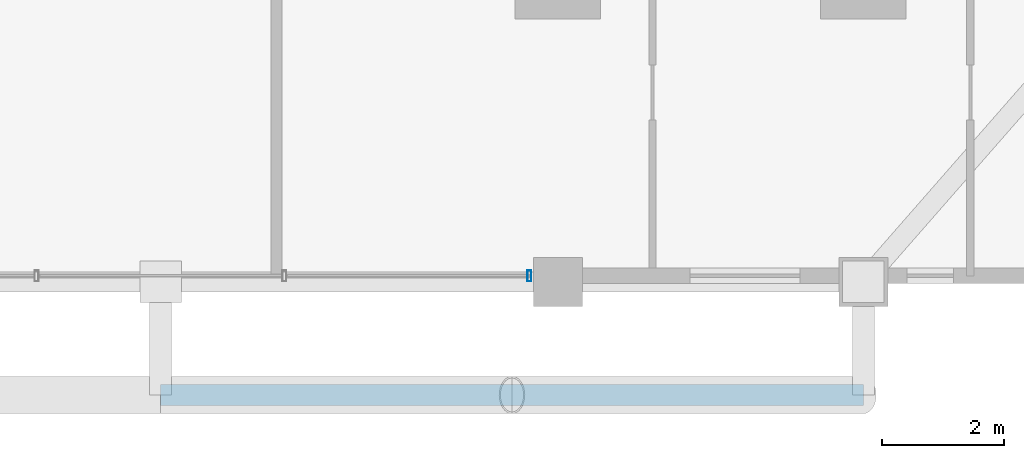
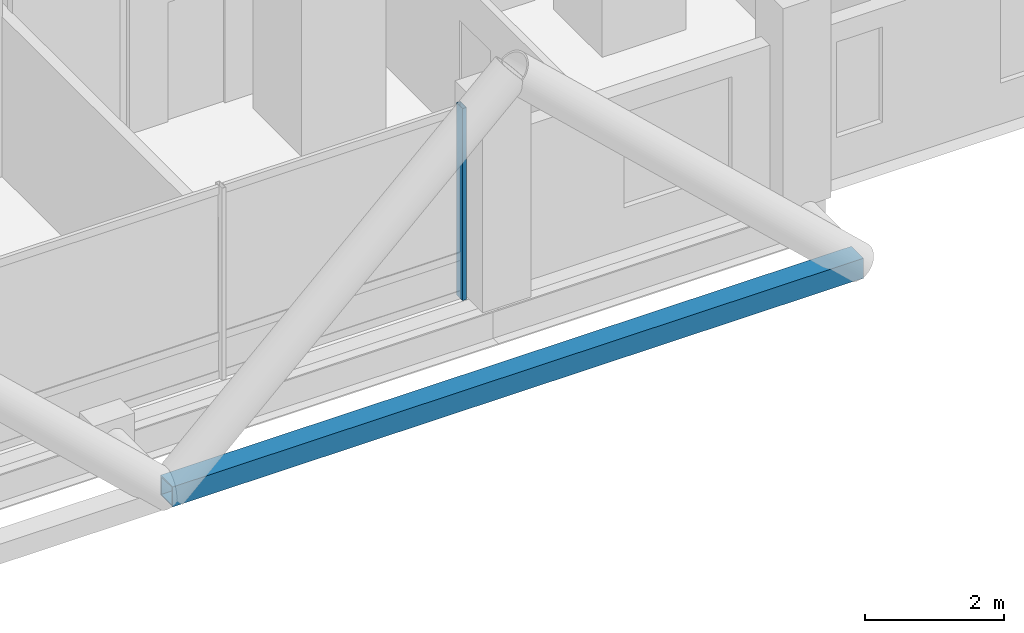
# One storey, part 4 of 27: 2 members, 1 element without a shape of its own.
"""IFC4 building model written with IfcOpenShell, lengths in metres."""

from ifc_helpers import new_model, si_unit, direction, frame, origin, origin_2d, place, context, subcontext, project, spatial, hollow_rectangle, extrude, material, layer, layer_set, material_profile, profile_set, type_object, element, aggregate, save


model = new_model("IFC4")

# Units and contexts
model_context = context("Model", 3, precision=1e-05, world=origin(), true_north=direction((0.0, 1.0)))
body_context = subcontext(model_context, "Body", "Model", "MODEL_VIEW")
ifc_project = project(units=[si_unit("LENGTHUNIT", "METRE"), si_unit("AREAUNIT", "SQUARE_METRE"), si_unit("VOLUMEUNIT", "CUBIC_METRE"), si_unit("PLANEANGLEUNIT", "RADIAN"), si_unit("MASSUNIT", "GRAM", prefix="KILO")], contexts=[model_context])

# Site, building, storey
site_placement = place(None, origin())
site = spatial("IfcSite", under=ifc_project, at=site_placement, CompositionType="ELEMENT")
building_placement = place(site_placement, origin())
building = spatial("IfcBuilding", under=site, at=building_placement, Name="Barlavira Tower and Art Museum", CompositionType="ELEMENT")
storey_placement = place(building_placement, frame((0.0, 0.0, 50.39990234375)))
storey = spatial("IfcBuildingStorey", under=building, at=storey_placement, Name="L11", CompositionType="ELEMENT", Elevation=50.39990234375)

# Curtain wall, member
ifc_material_1 = material(Name="Low-iron coastal laminated glass", Category="glass")
ifc_layer = layer(ifc_material_1, 0.179931640625, Name="Low-iron coastal laminated glass")
ifc_layer_set = layer_set([ifc_layer], Name="Low-iron coastal laminated glass")
curtain_wall_type = type_object("IfcCurtainWallType", Name="Pale-Metal Unitised Curtain Wall Zone 1", PredefinedType="NOTDEFINED", material=ifc_layer_set)
curtain_wall_placement = place(storey_placement, origin())
curtain_wall = element("IfcCurtainWall", 1, at=curtain_wall_placement, inside=storey, type_object=curtain_wall_type, Name="L11 Curtain Wall CW1-L11-S-B3", PredefinedType="NOTDEFINED")
ifc_material_2 = material(Name="Pale anodised aluminium", Category="aluminium")
ifc_material_profile_1 = material_profile(ifc_material_2, hollow_rectangle(XDim=0.06494140625, YDim=0.179931640625, WallThickness=0.00390625, at=origin_2d()), Name="ALU-MULL 65x180x4")
ifc_profile_set_1 = profile_set([ifc_material_profile_1], Name="Pale anodised aluminium")
member_type_1 = type_object("IfcMemberType", Name="Curtain Wall Pale-Metal Mullion 65x180", PredefinedType="MULLION", material=ifc_profile_set_1)
member_1_placement = place(storey_placement, frame((6.034912109375, -24.89990234375, 0.0), z_axis=(0.0, 0.0, 1.0), x_axis=(1.0, 0.0, 0.0)))
member_1 = element("IfcMember", 2, at=member_1_placement, type_object=member_type_1, Name="CW1-L11-S-B3 Mullion 3", PredefinedType="MULLION", context=body_context, shape_type="SweptSolid", body=[
    extrude(hollow_rectangle(XDim=0.06494140625, YDim=0.179931640625, WallThickness=0.00390625, at=origin_2d()), origin(), (0.0, 0.0, 1.0), 3.380126953125),
])
aggregate(curtain_wall, [member_1])

# Member
ifc_material_3 = material(Name="Steel S355", Category="steel")
ifc_material_profile_2 = material_profile(ifc_material_3, hollow_rectangle(XDim=0.35009765625, YDim=0.35009765625, WallThickness=0.02001953125, at=origin_2d()), Name="SHS 350x350x20.0")
ifc_profile_set_2 = profile_set([ifc_material_profile_2], Name="Steel S355")
member_type_2 = type_object("IfcMemberType", Name="Pale-Metal Exoskeleton Ring Strut SHS 350x350x20 Steel S355", PredefinedType="STRUT", material=ifc_profile_set_2)
member_2_placement = place(storey_placement, frame((0.0, -26.85009765625, -0.119873046875), z_axis=(1.0, 0.0, 0.0), x_axis=(0.0, 1.0, 0.0)))
element("IfcMember", 3, at=member_2_placement, inside=storey, type_object=member_type_2, Name="L11 Exoskeleton Ring Strut S", PredefinedType="STRUT", context=body_context, shape_type="SweptSolid", body=[
    extrude(hollow_rectangle(XDim=0.35009765625, YDim=0.35009765625, WallThickness=0.02001953125, at=origin_2d()), origin(), (0.0, 0.0, 1.0), 11.5),
])

save(model, "model.ifc")
